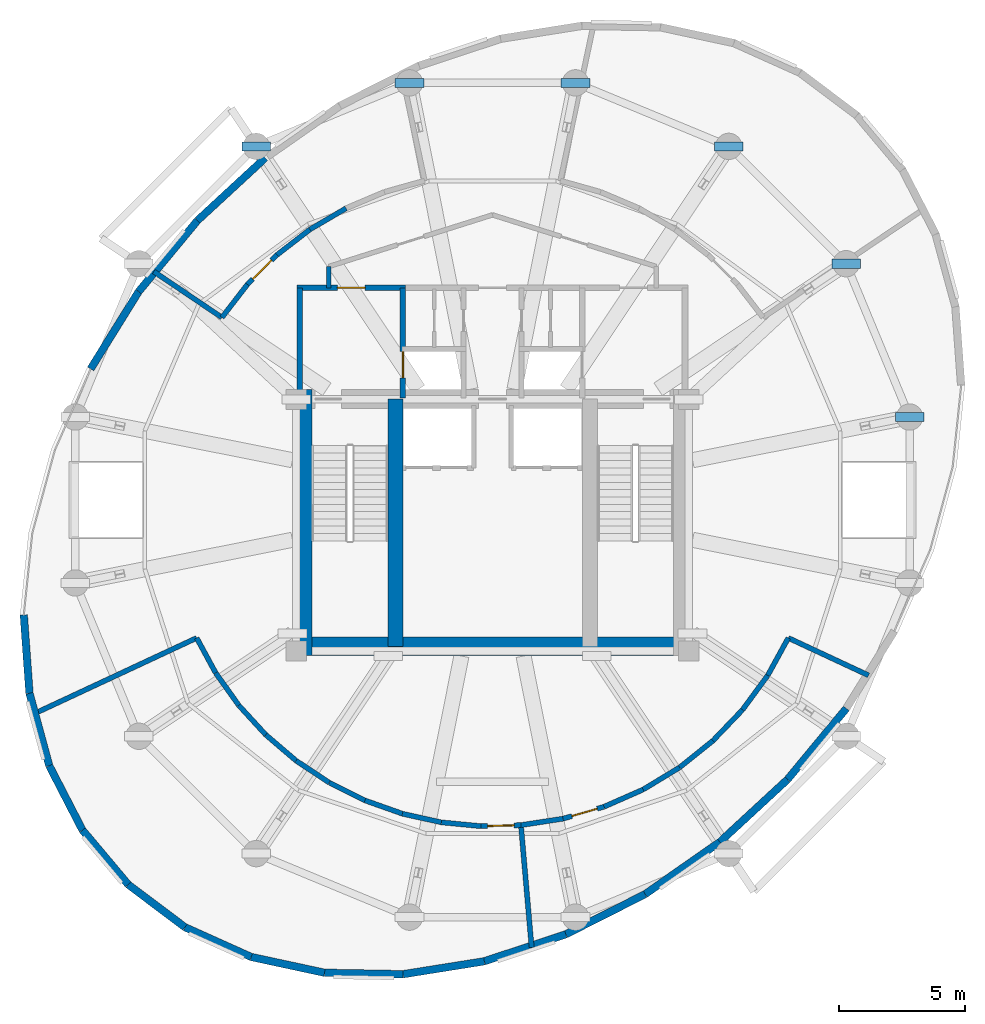
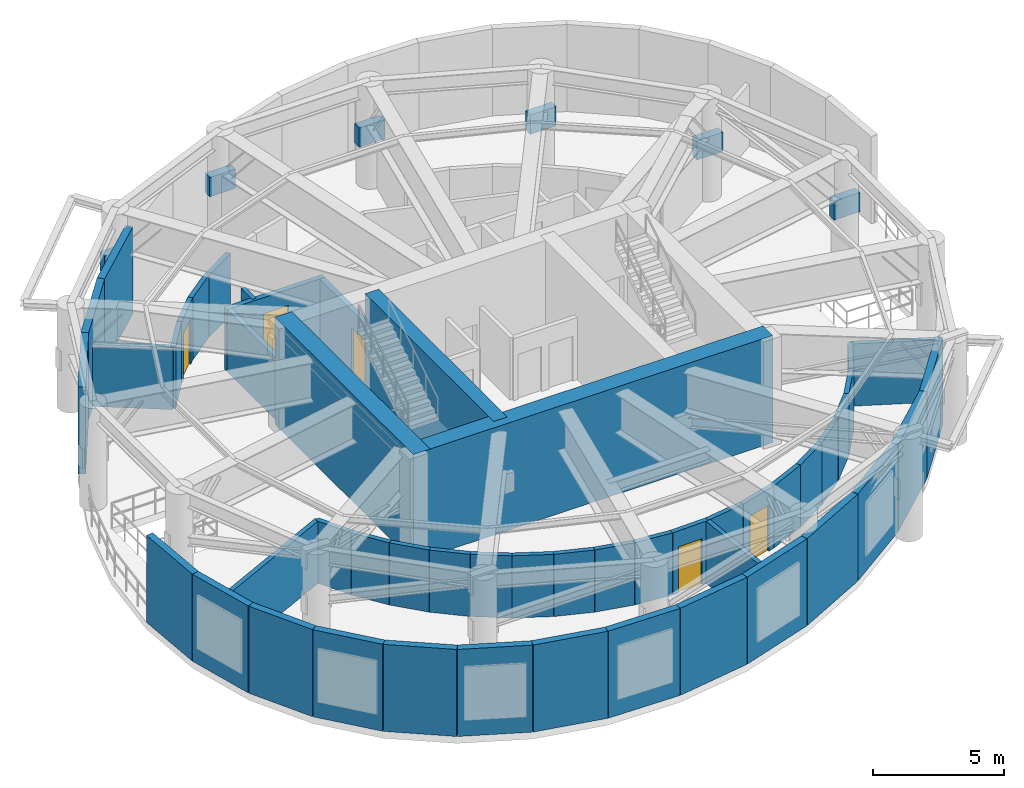
# One storey, part 3 of 7: 50 walls, 6 plates, 5 doors, 5 openings.
"""IFC4 building model written with IfcOpenShell, lengths in metres."""

from ifc_helpers import new_model, si_unit, direction, frame, frame_2d, origin, origin_2d, place, context, subcontext, project, spatial, rectangle, extrude, material, layer, layer_set, type_object, element, fill, save


model = new_model("IFC4")

# Units and contexts
model_context = context("Model", 3, precision=1e-05, world=origin(), true_north=direction((0.0, 1.0)))
body_context = subcontext(model_context, "Body", "Model", "MODEL_VIEW")
ifc_project = project(units=[si_unit("LENGTHUNIT", "METRE"), si_unit("AREAUNIT", "SQUARE_METRE"), si_unit("VOLUMEUNIT", "CUBIC_METRE"), si_unit("PLANEANGLEUNIT", "RADIAN"), si_unit("MASSUNIT", "GRAM", prefix="KILO"), si_unit("THERMODYNAMICTEMPERATUREUNIT", "KELVIN"), si_unit("POWERUNIT", "WATT")], contexts=[model_context])

# Site, building, storey
site_placement = place(None, origin())
site = spatial("IfcSite", under=ifc_project, at=site_placement, CompositionType="ELEMENT")
building_placement = place(site_placement, origin())
building = spatial("IfcBuilding", under=site, at=building_placement, Name="Ocrelia Relay Tower", CompositionType="ELEMENT")
storey_placement = place(building_placement, frame((0.0, 0.0, 225.39990234375)))
storey = spatial("IfcBuildingStorey", under=building, at=storey_placement, Name="L55", CompositionType="ELEMENT", Elevation=225.39990234375)

# Plates
ifc_material_1 = material(Name="Steel S355", Category="steel")
ifc_layer_1 = layer(ifc_material_1, 0.035888671875, Name="Steel S355")
ifc_layer_set_1 = layer_set([ifc_layer_1], Name="Steel S355")
plate_type = type_object("IfcPlateType", Name="PL-NODE-ND-06", PredefinedType="USERDEFINED", material=ifc_layer_set_1)
for number, where, z_axis, x_axis, name in (
    (1, (50.5751953125, 29.297119140625, 1.900146484375), (0.0, 0.0, 1.0), (1.0, 0.0, 0.0), "L55 Setback Raker Lower Node ND-06 (01)"),
    (2, (48.0517578125, 35.38916015625, 1.900146484375), (0.0, 0.0, 1.0), (1.0, 0.0, 0.0), "L55 Setback Raker Lower Node ND-06 (02)"),
    (3, (43.38916015625, 40.0517578125, 1.900146484375), (0.0, 0.0, 1.0), (1.0, 0.0, 0.0), "L55 Setback Raker Lower Node ND-06 (03)"),
    (4, (37.297119140625, 42.5751953125, 1.900146484375), (0.0, 0.0, 1.0), (1.0, 0.0, 0.0), "L55 Setback Raker Lower Node ND-06 (04)"),
    (5, (30.702880859375, 42.5751953125, 1.900146484375), (0.0, 0.0, 1.0), (1.0, 0.0, 0.0), "L55 Setback Raker Lower Node ND-06 (05)"),
    (6, (24.61083984375, 40.0517578125, 1.900146484375), (0.0, 0.0, 1.0), (1.0, 0.0, 0.0), "L55 Setback Raker Lower Node ND-06 (06)"),
):
    element("IfcPlate", number, at=place(storey_placement, frame(where, z_axis=z_axis, x_axis=x_axis)), inside=storey, type_object=plate_type, Name=name, ObjectType="GUSSET PLATE", PredefinedType="USERDEFINED", context=body_context, shape_type="SweptSolid", body=[
        extrude(rectangle(XDim=1.139892578125, YDim=0.360107421875, at=origin_2d()), origin(), (0.0, 0.0, 1.0), 0.89990234375),
    ])

# Walls
ifc_material_2 = material(Name="Concrete C60/75", Category="concrete")
ifc_layer_2 = layer(ifc_material_2, 0.75, Name="Concrete C60/75")
ifc_layer_set_2 = layer_set([ifc_layer_2], Name="Concrete C60/75")
wall_type_1 = type_object("IfcWallType", Name="CW-CORE-750", PredefinedType="SHEAR", material=ifc_layer_set_2)
wall_1_placement = place(storey_placement, frame((26.072021484375, 20.18701171875, 0.0), z_axis=(0.0, 0.0, 1.0), x_axis=(1.0, 0.0, 0.0)))
element("IfcWall", 7, at=wall_1_placement, inside=storey, type_object=wall_type_1, Name="L55 Core Shear Wall S", PredefinedType="SHEAR", context=body_context, shape_type="SweptSolid", body=[
    extrude(rectangle(XDim=15.865966796875, YDim=0.75, at=frame_2d((7.93310546875, 0.0))), origin(), (0.0, 0.0, 1.0), 5.0),
])
wall_2_placement = place(storey_placement, frame((26.447021484375, 19.81201171875, 0.0), z_axis=(0.0, 0.0, 1.0), x_axis=(0.0, 1.0, 0.0)))
element("IfcWall", 8, at=wall_2_placement, inside=storey, type_object=wall_type_1, Name="L55 Core Shear Wall W", PredefinedType="SHEAR", context=body_context, shape_type="SweptSolid", body=[
    extrude(rectangle(XDim=10.575927734375, YDim=0.75, at=frame_2d((5.2880859375, 0.0))), origin(), (0.0, 0.0, 1.0), 5.0),
])
wall_3_placement = place(storey_placement, frame((30.137939453125, 20.18701171875, 0.0), z_axis=(0.0, 0.0, 1.0), x_axis=(0.0, 1.0, 0.0)))
element("IfcWall", 9, at=wall_3_placement, inside=storey, type_object=wall_type_1, Name="L55 Core Shear Wall SPW", PredefinedType="SHEAR", context=body_context, shape_type="SweptSolid", body=[
    extrude(rectangle(XDim=9.825927734375, YDim=0.60009765625, at=frame_2d((4.9130859375, 0.0))), origin(), (0.0, 0.0, 1.0), 5.0),
])
ifc_material_3 = material(Name="Gypsum Fireboard Partition EI60", Category="gypsum")
ifc_layer_3 = layer(ifc_material_3, 0.179931640625, Name="Gypsum Fireboard Partition EI60")
ifc_layer_set_3 = layer_set([ifc_layer_3], Name="Gypsum Fireboard Partition EI60")
wall_type_2 = type_object("IfcWallType", Name="W-CORR-EI60-180", PredefinedType="PARTITIONING", material=ifc_layer_set_3)
wall_4_placement = place(storey_placement, frame((27.5, 34.429931640625, 0.0), z_axis=(0.0, 0.0, 1.0), x_axis=(0.0, 1.0, 0.0)))
element("IfcWall", 10, at=wall_4_placement, inside=storey, type_object=wall_type_2, Name="L55 Smoke Lobby West Return", PredefinedType="PARTITIONING", context=body_context, shape_type="SweptSolid", body=[
    extrude(rectangle(XDim=0.85009765625, YDim=0.179931640625, at=frame_2d((0.425048828125, 0.0))), origin(), (0.0, 0.0, 1.0), 2.900146484375),
])
ifc_material_4 = material(Name="Precast concrete C40/50 with oxide terracotta", Category="masonry")
ifc_layer_4 = layer(ifc_material_4, 0.300048828125, Name="Precast concrete C40/50 with oxide terracotta")
ifc_layer_set_4 = layer_set([ifc_layer_4], Name="Precast concrete C40/50 with oxide terracotta")
wall_type_3 = type_object("IfcWallType", Name="W-EXT-TERR-300", PredefinedType="SOLIDWALL", material=ifc_layer_set_4)
for number, where, z_axis, x_axis, name in (
    (11, (24.967529296875, 39.591552734375, 0.0), (0.0, 0.0, 1.0), (-0.73482899263, -0.678252424684, 0.0), "L55 Plant Terracotta Wall 09"),
    (12, (22.275390625, 37.106689453125, 0.0), (0.0, 0.0, 1.0), (-0.637539073233, -0.770418022959, 0.0), "L55 Plant Terracotta Wall 10"),
):
    element("IfcWall", number, at=place(storey_placement, frame(where, z_axis=z_axis, x_axis=x_axis)), inside=storey, type_object=wall_type_3, Name=name, PredefinedType="SOLIDWALL", context=body_context, shape_type="SweptSolid", body=[
        extrude(rectangle(XDim=3.66357421875, YDim=0.300048828125, at=frame_2d((1.831787109375, 0.0))), origin(), (0.0, 0.0, 1.0), 4.06005859375),
    ])
wall_5_placement = place(storey_placement, frame((19.939697265625, 34.2841796875, 0.0), z_axis=(0.0, 0.0, 1.0), x_axis=(-0.527455239151, -0.849582821562, 0.0)))
element("IfcWall", 13, at=wall_5_placement, inside=storey, type_object=wall_type_3, Name="L55 Plant Terracotta Wall 11", PredefinedType="SOLIDWALL", context=body_context, shape_type="SweptSolid", body=[
    extrude(rectangle(XDim=3.6181640625, YDim=0.300048828125, at=frame_2d((1.80908203125, 0.0))), origin(), (0.0, 0.0, 1.0), 4.06005859375),
])
wall_6_placement = place(storey_placement, frame((15.3740234375, 21.4326171875, 0.0), z_axis=(0.0, 0.0, 1.0), x_axis=(0.072569639853, -0.997363347718, 0.0)))
element("IfcWall", 14, at=wall_6_placement, inside=storey, type_object=wall_type_3, Name="L55 Plant Terracotta Wall 15", PredefinedType="SOLIDWALL", context=body_context, shape_type="SweptSolid", body=[
    extrude(rectangle(XDim=3.1220703125, YDim=0.300048828125, at=frame_2d((1.56103515625, 0.0))), origin(), (0.0, 0.0, 1.0), 4.06005859375),
])
wall_7_placement = place(storey_placement, frame((15.6005859375, 18.31884765625, 0.0), z_axis=(0.0, 0.0, 1.0), x_axis=(0.263221190674, -0.964735510272, 0.0)))
element("IfcWall", 15, at=wall_7_placement, inside=storey, type_object=wall_type_3, Name="L55 Plant Terracotta Wall 16", PredefinedType="SOLIDWALL", context=body_context, shape_type="SweptSolid", body=[
    extrude(rectangle(XDim=2.985595703125, YDim=0.300048828125, at=frame_2d((1.49267578125, 0.0))), origin(), (0.0, 0.0, 1.0), 4.06005859375),
])
wall_8_placement = place(storey_placement, frame((16.386474609375, 15.4384765625, 0.0), z_axis=(0.0, 0.0, 1.0), x_axis=(0.45867098927, -0.88860616901, 0.0)))
element("IfcWall", 16, at=wall_8_placement, inside=storey, type_object=wall_type_3, Name="L55 Plant Terracotta Wall 17", PredefinedType="SOLIDWALL", context=body_context, shape_type="SweptSolid", body=[
    extrude(rectangle(XDim=2.880126953125, YDim=0.300048828125, at=frame_2d((1.43994140625, 0.0))), origin(), (0.0, 0.0, 1.0), 4.06005859375),
])
for number, where, z_axis, x_axis, name in (
    (17, (17.70751953125, 12.879150390625, 0.0), (0.0, 0.0, 1.0), (0.643352324019, -0.765570236608, 0.0), "L55 Plant Terracotta Wall 18"),
    (18, (19.5234375, 10.71826171875, 0.0), (0.0, 0.0, 1.0), (0.799210477485, -0.601051256282, 0.0), "L55 Plant Terracotta Wall 19"),
):
    element("IfcWall", number, at=place(storey_placement, frame(where, z_axis=z_axis, x_axis=x_axis)), inside=storey, type_object=wall_type_3, Name=name, PredefinedType="SOLIDWALL", context=body_context, shape_type="SweptSolid", body=[
        extrude(rectangle(XDim=2.822509765625, YDim=0.300048828125, at=frame_2d((1.4111328125, 0.0))), origin(), (0.0, 0.0, 1.0), 4.06005859375),
    ])
wall_9_placement = place(storey_placement, frame((21.779296875, 9.021728515625, 0.0), z_axis=(0.0, 0.0, 1.0), x_axis=(0.912125984166, -0.409909976714, 0.0)))
element("IfcWall", 19, at=wall_9_placement, inside=storey, type_object=wall_type_3, Name="L55 Plant Terracotta Wall 20", PredefinedType="SOLIDWALL", context=body_context, shape_type="SweptSolid", body=[
    extrude(rectangle(XDim=2.88037109375, YDim=0.300048828125, at=frame_2d((1.440185546875, 0.0))), origin(), (0.0, 0.0, 1.0), 4.06005859375),
])
wall_10_placement = place(storey_placement, frame((24.406494140625, 7.841064453125, 0.0), z_axis=(0.0, 0.0, 1.0), x_axis=(0.977563651591, -0.210640231409, 0.0)))
element("IfcWall", 20, at=wall_10_placement, inside=storey, type_object=wall_type_3, Name="L55 Plant Terracotta Wall 21", PredefinedType="SOLIDWALL", context=body_context, shape_type="SweptSolid", body=[
    extrude(rectangle(XDim=2.985595703125, YDim=0.300048828125, at=frame_2d((1.49267578125, 0.0))), origin(), (0.0, 0.0, 1.0), 4.06005859375),
])
wall_11_placement = place(storey_placement, frame((27.3251953125, 7.212158203125, 0.0), z_axis=(0.0, 0.0, 1.0), x_axis=(0.999828254486, -0.018532715182, 0.0)))
element("IfcWall", 21, at=wall_11_placement, inside=storey, type_object=wall_type_3, Name="L55 Plant Terracotta Wall 22", PredefinedType="SOLIDWALL", context=body_context, shape_type="SweptSolid", body=[
    extrude(rectangle(XDim=3.1220703125, YDim=0.300048828125, at=frame_2d((1.56103515625, 0.0))), origin(), (0.0, 0.0, 1.0), 4.06005859375),
])
wall_12_placement = place(storey_placement, frame((30.44677734375, 7.154296875, 0.0), z_axis=(0.0, 0.0, 1.0), x_axis=(0.987548955156, 0.157311986733, 0.0)))
element("IfcWall", 22, at=wall_12_placement, inside=storey, type_object=wall_type_3, Name="L55 Plant Terracotta Wall 23", PredefinedType="SOLIDWALL", context=body_context, shape_type="SweptSolid", body=[
    extrude(rectangle(XDim=3.27001953125, YDim=0.300048828125, at=frame_2d((1.635009765625, 0.0))), origin(), (0.0, 0.0, 1.0), 4.06005859375),
])
wall_13_placement = place(storey_placement, frame((33.676025390625, 7.668701171875, 0.0), z_axis=(0.0, 0.0, 1.0), x_axis=(0.949382197537, 0.314123292673, 0.0)))
element("IfcWall", 23, at=wall_13_placement, inside=storey, type_object=wall_type_3, Name="L55 Plant Terracotta Wall 24", PredefinedType="SOLIDWALL", context=body_context, shape_type="SweptSolid", body=[
    extrude(rectangle(XDim=3.411865234375, YDim=0.300048828125, at=frame_2d((1.7060546875, 0.0))), origin(), (0.0, 0.0, 1.0), 4.06005859375),
])
wall_14_placement = place(storey_placement, frame((36.915283203125, 8.740478515625, 0.0), z_axis=(0.0, 0.0, 1.0), x_axis=(0.89209261961, 0.45185258441, 0.0)))
element("IfcWall", 24, at=wall_14_placement, inside=storey, type_object=wall_type_3, Name="L55 Plant Terracotta Wall 25", PredefinedType="SOLIDWALL", context=body_context, shape_type="SweptSolid", body=[
    extrude(rectangle(XDim=3.531982421875, YDim=0.300048828125, at=frame_2d((1.76611328125, 0.0))), origin(), (0.0, 0.0, 1.0), 4.06005859375),
])
wall_15_placement = place(storey_placement, frame((40.066162109375, 10.33642578125, 0.0), z_axis=(0.0, 0.0, 1.0), x_axis=(0.819802095638, 0.572646945323, 0.0)))
element("IfcWall", 25, at=wall_15_placement, inside=storey, type_object=wall_type_3, Name="L55 Plant Terracotta Wall 26", PredefinedType="SOLIDWALL", context=body_context, shape_type="SweptSolid", body=[
    extrude(rectangle(XDim=3.618408203125, YDim=0.300048828125, at=frame_2d((1.80908203125, 0.0))), origin(), (0.0, 0.0, 1.0), 4.06005859375),
])
for number, where, z_axis, x_axis, name in (
    (26, (43.032470703125, 12.408447265625, 0.0), (0.0, 0.0, 1.0), (0.73482899263, 0.678252424684, 0.0), "L55 Plant Terracotta Wall 27"),
    (27, (45.724609375, 14.893310546875, 0.0), (0.0, 0.0, 1.0), (0.637539073233, 0.770418022959, 0.0), "L55 Plant Terracotta Wall 28"),
):
    element("IfcWall", number, at=place(storey_placement, frame(where, z_axis=z_axis, x_axis=x_axis)), inside=storey, type_object=wall_type_3, Name=name, PredefinedType="SOLIDWALL", context=body_context, shape_type="SweptSolid", body=[
        extrude(rectangle(XDim=3.66357421875, YDim=0.300048828125, at=frame_2d((1.831787109375, 0.0))), origin(), (0.0, 0.0, 1.0), 4.06005859375),
    ])
ifc_material_5 = material(Name="Concrete C50/60", Category="concrete")
ifc_layer_5 = layer(ifc_material_5, 0.219970703125, Name="Concrete C50/60")
ifc_layer_set_5 = layer_set([ifc_layer_5], Name="Concrete C50/60")
wall_type_4 = type_object("IfcWallType", Name="W-FFL-EI120-220", PredefinedType="SOLIDWALL", material=ifc_layer_set_5)
wall_16_placement = place(storey_placement, frame((26.35009765625, 30.050048828125, 0.0), z_axis=(0.0, 0.0, 1.0), x_axis=(0.0, 1.0, 0.0)))
element("IfcWall", 28, at=wall_16_placement, inside=storey, type_object=wall_type_4, Name="L55 W Fire Service Lift Lobby West Wall", PredefinedType="SOLIDWALL", context=body_context, shape_type="SweptSolid", body=[
    extrude(rectangle(XDim=4.3798828125, YDim=0.219970703125, at=frame_2d((2.18994140625, 0.0))), origin(), (0.0, 0.0, 1.0), 2.900146484375),
])

# Wall, opening, door
wall_17_placement = place(storey_placement, frame((30.43994140625, 30.050048828125, 0.0), z_axis=(0.0, 0.0, 1.0), x_axis=(0.0, 1.0, 0.0)))
wall_17 = element("IfcWall", 29, at=wall_17_placement, inside=storey, type_object=wall_type_4, Name="L55 W Fire Service Lift Lobby East Wall", PredefinedType="SOLIDWALL", context=body_context, shape_type="SweptSolid", body=[
    extrude(rectangle(XDim=4.3798828125, YDim=0.219970703125, at=frame_2d((2.18994140625, 0.0))), origin(), (0.0, 0.0, 1.0), 2.900146484375),
])
opening_1_placement = place(wall_17_placement, frame((0.800048828125, 0.0, 0.0)))
opening_1 = element("IfcOpeningElement", 30, at=opening_1_placement, cuts=wall_17, Name="Opening LD-FFL1", PredefinedType="OPENING", context=body_context, shape_type="SweptSolid", body=[
    extrude(rectangle(XDim=1.050048828125, YDim=2.10009765625, at=frame_2d((0.52490234375, 1.050048828125))), frame((0.0, 0.1201171875, 0.0), z_axis=(0.0, -1.0, 0.0), x_axis=(1.0, 0.0, 0.0)), (0.0, 0.0, 1.0), 0.239990234375),
])
ifc_material_6 = material(Name="Brushed stainless steel S355 lift landing door", Category="steel")
door_type_1 = type_object("IfcDoorType", Name="DR-LIFT-LAND-1050", OperationType="DOUBLE_DOOR_SLIDING", PredefinedType="USERDEFINED", material=ifc_material_6)
door_1_placement = place(opening_1_placement, origin())
door_1 = element("IfcDoor", 31, at=door_1_placement, inside=storey, type_object=door_type_1, Name="L55 Firefighting Lift FFL1 Sliding Landing Door", ObjectType="LANDING DOOR", OperationType="DOUBLE_DOOR_SLIDING", OverallHeight=2.10009765625, OverallWidth=1.050048828125, PredefinedType="USERDEFINED", context=body_context, shape_type="SweptSolid", body=[
    extrude(rectangle(XDim=1.050048828125, YDim=2.10009765625, at=frame_2d((0.52490234375, 1.050048828125))), frame((0.0, 0.02490234375, 0.0), z_axis=(0.0, -1.0, 0.0), x_axis=(1.0, 0.0, 0.0)), (0.0, 0.0, 1.0), 0.050048828125),
])
fill(opening_1, door_1)

wall_18_placement = place(storey_placement, frame((26.239990234375, 34.429931640625, 0.0), z_axis=(0.0, 0.0, 1.0), x_axis=(1.0, 0.0, 0.0)))
wall_18 = element("IfcWall", 32, at=wall_18_placement, inside=storey, type_object=wall_type_4, Name="L55 W Fire Service Lift Lobby North Wall", PredefinedType="SOLIDWALL", context=body_context, shape_type="SweptSolid", body=[
    extrude(rectangle(XDim=4.31005859375, YDim=0.219970703125, at=frame_2d((2.155029296875, 0.0))), origin(), (0.0, 0.0, 1.0), 2.900146484375),
])
opening_2_placement = place(wall_18_placement, frame((1.60009765625, 0.0, 0.0)))
opening_2 = element("IfcOpeningElement", 33, at=opening_2_placement, cuts=wall_18, Name="Opening D-FD60", PredefinedType="OPENING", context=body_context, shape_type="SweptSolid", body=[
    extrude(rectangle(XDim=1.10009765625, YDim=2.14990234375, at=frame_2d((0.550048828125, 1.074951171875))), frame((0.0, 0.1201171875, 0.0), z_axis=(0.0, -1.0, 0.0), x_axis=(1.0, 0.0, 0.0)), (0.0, 0.0, 1.0), 0.239990234375),
])
ifc_material_7 = material(Name="Timber-core 60-min acoustic fire door", Category="wood")
door_type_2 = type_object("IfcDoorType", Name="DR-LOBBY-FD60-1100", OperationType="NOTDEFINED", PredefinedType="DOOR", material=ifc_material_7)
door_2_placement = place(opening_2_placement, origin())
door_2 = element("IfcDoor", 34, at=door_2_placement, inside=storey, type_object=door_type_2, Name="L55 W Fire Service Lift Lobby Exit Door", OperationType="SINGLE_SWING_LEFT", OverallHeight=2.14990234375, OverallWidth=1.10009765625, PredefinedType="DOOR", context=body_context, shape_type="SweptSolid", body=[
    extrude(rectangle(XDim=1.10009765625, YDim=2.14990234375, at=frame_2d((0.550048828125, 1.074951171875))), frame((0.0, 0.02490234375, 0.0), z_axis=(0.0, -1.0, 0.0), x_axis=(1.0, 0.0, 0.0)), (0.0, 0.0, 1.0), 0.050048828125),
])
fill(opening_2, door_2)

# Wall
ifc_layer_6 = layer(ifc_material_5, 0.199951171875, Name="Concrete C50/60")
ifc_layer_set_6 = layer_set([ifc_layer_6], Name="Concrete C50/60")
wall_type_5 = type_object("IfcWallType", Name="W-SHAFT-EI120-200", PredefinedType="SOLIDWALL", material=ifc_layer_set_6)
wall_19_placement = place(storey_placement, frame((23.247314453125, 33.252685546875, 0.0), z_axis=(0.0, 0.0, 1.0), x_axis=(0.611032763433, 0.791605306962, 0.0)))
element("IfcWall", 35, at=wall_19_placement, inside=storey, type_object=wall_type_5, Name="L55 West Area of Refuge Inner Wall 7", PredefinedType="SOLIDWALL", context=body_context, shape_type="SweptSolid", body=[
    extrude(rectangle(XDim=1.658935546875, YDim=0.199951171875, at=frame_2d((0.82958984375, 0.0))), origin(), (0.0, 0.0, 1.0), 2.900146484375),
])

# Wall, opening, door
wall_20_placement = place(storey_placement, frame((24.260986328125, 34.56591796875, 0.0), z_axis=(0.0, 0.0, 1.0), x_axis=(0.707106781187, 0.707106781187, 0.0)))
wall_20 = element("IfcWall", 36, at=wall_20_placement, inside=storey, type_object=wall_type_5, Name="L55 West Area of Refuge Inner Wall 8", PredefinedType="SOLIDWALL", context=body_context, shape_type="SweptSolid", body=[
    extrude(rectangle(XDim=1.658935546875, YDim=0.199951171875, at=frame_2d((0.82958984375, 0.0))), origin(), (0.0, 0.0, 1.0), 2.900146484375),
])
opening_3_placement = place(wall_20_placement, frame((0.304443359375, 0.0, 0.0)))
opening_3 = element("IfcOpeningElement", 37, at=opening_3_placement, cuts=wall_20, Name="Opening D-FD90", PredefinedType="OPENING", context=body_context, shape_type="SweptSolid", body=[
    extrude(rectangle(XDim=1.050048828125, YDim=2.14990234375, at=frame_2d((0.52490234375, 1.074951171875))), frame((0.0, 0.10986328125, 0.0), z_axis=(0.0, -1.0, 0.0), x_axis=(1.0, 0.0, 0.0)), (0.0, 0.0, 1.0), 0.219970703125),
])
ifc_material_8 = material(Name="Steel S355 90-min fire door", Category="steel")
door_type_3 = type_object("IfcDoorType", Name="DR-STAIR-FD90-1050", OperationType="NOTDEFINED", PredefinedType="DOOR", material=ifc_material_8)
door_3_placement = place(opening_3_placement, origin())
door_3 = element("IfcDoor", 38, at=door_3_placement, inside=storey, type_object=door_type_3, Name="L55 West Area of Refuge Fire Door", OperationType="SINGLE_SWING_RIGHT", OverallHeight=2.14990234375, OverallWidth=1.050048828125, PredefinedType="DOOR", context=body_context, shape_type="SweptSolid", body=[
    extrude(rectangle(XDim=1.050048828125, YDim=2.14990234375, at=frame_2d((0.52490234375, 1.074951171875))), frame((0.0, 0.02490234375, 0.0), z_axis=(0.0, -1.0, 0.0), x_axis=(1.0, 0.0, 0.0)), (0.0, 0.0, 1.0), 0.050048828125),
])
fill(opening_3, door_3)

# Walls
for number, where, z_axis, x_axis, name in (
    (39, (25.43408203125, 35.739013671875, 0.0), (0.0, 0.0, 1.0), (0.791605306962, 0.611032763433, 0.0), "L55 West Area of Refuge Inner Wall 9"),
    (40, (26.747314453125, 36.752685546875, 0.0), (0.0, 0.0, 1.0), (0.863153716887, 0.504941245122, 0.0), "L55 West Area of Refuge Inner Wall 10"),
):
    element("IfcWall", number, at=place(storey_placement, frame(where, z_axis=z_axis, x_axis=x_axis)), inside=storey, type_object=wall_type_5, Name=name, PredefinedType="SOLIDWALL", context=body_context, shape_type="SweptSolid", body=[
        extrude(rectangle(XDim=1.658935546875, YDim=0.199951171875, at=frame_2d((0.82958984375, 0.0))), origin(), (0.0, 0.0, 1.0), 2.900146484375),
    ])
wall_21_placement = place(storey_placement, frame((23.247314453125, 33.252685546875, 0.0), z_axis=(0.0, 0.0, 1.0), x_axis=(-0.829044696855, 0.559182341117, 0.0)))
element("IfcWall", 41, at=wall_21_placement, inside=storey, type_object=wall_type_5, Name="L55 West Area of Refuge Radial Wall R1", PredefinedType="SOLIDWALL", context=body_context, shape_type="SweptSolid", body=[
    extrude(rectangle(XDim=3.26220703125, YDim=0.199951171875, at=frame_2d((1.631103515625, 0.0))), origin(), (0.0, 0.0, 1.0), 2.900146484375),
])

# Wall, opening, door
wall_22_placement = place(storey_placement, frame((35.13037109375, 13.079345703125, 0.0), z_axis=(0.0, 0.0, 1.0), x_axis=(-0.999656475273, -0.026209377051, 0.0)))
wall_22 = element("IfcWall", 42, at=wall_22_placement, inside=storey, type_object=wall_type_5, Name="L55 Upper Chilled Water Plant Room Inner Wall 11", PredefinedType="SOLIDWALL", context=body_context, shape_type="SweptSolid", body=[
    extrude(rectangle(XDim=1.58349609375, YDim=0.199951171875, at=frame_2d((0.791748046875, 0.0))), origin(), (0.0, 0.0, 1.0), 2.900146484375),
])
opening_4_placement = place(wall_22_placement, frame((0.275146484375, 0.0, 0.0)))
opening_4 = element("IfcOpeningElement", 43, at=opening_4_placement, cuts=wall_22, Name="Opening D-FD90", PredefinedType="OPENING", context=body_context, shape_type="SweptSolid", body=[
    extrude(rectangle(XDim=1.050048828125, YDim=2.14990234375, at=frame_2d((0.52490234375, 1.074951171875))), frame((0.0, 0.10986328125, 0.0), z_axis=(0.0, -1.0, 0.0), x_axis=(1.0, 0.0, 0.0)), (0.0, 0.0, 1.0), 0.219970703125),
])
door_4_placement = place(opening_4_placement, origin())
door_4 = element("IfcDoor", 44, at=door_4_placement, inside=storey, type_object=door_type_3, Name="L55 Upper Chilled Water Plant Room Fire Door", OperationType="SINGLE_SWING_RIGHT", OverallHeight=2.14990234375, OverallWidth=1.050048828125, PredefinedType="DOOR", context=body_context, shape_type="SweptSolid", body=[
    extrude(rectangle(XDim=1.050048828125, YDim=2.14990234375, at=frame_2d((0.52490234375, 1.074951171875))), frame((0.0, 0.02490234375, 0.0), z_axis=(0.0, -1.0, 0.0), x_axis=(1.0, 0.0, 0.0)), (0.0, 0.0, 1.0), 0.050048828125),
])
fill(opening_4, door_4)

# Walls
wall_23_placement = place(storey_placement, frame((33.54736328125, 13.037841796875, 0.0), z_axis=(0.0, 0.0, 1.0), x_axis=(-0.995392349908, 0.095885711885, 0.0)))
element("IfcWall", 45, at=wall_23_placement, inside=storey, type_object=wall_type_5, Name="L55 Upper Chilled Water Plant Room Inner Wall 12", PredefinedType="SOLIDWALL", context=body_context, shape_type="SweptSolid", body=[
    extrude(rectangle(XDim=1.583740234375, YDim=0.199951171875, at=frame_2d((0.7919921875, 0.0))), origin(), (0.0, 0.0, 1.0), 2.900146484375),
])
wall_24_placement = place(storey_placement, frame((31.970947265625, 13.189697265625, 0.0), z_axis=(0.0, 0.0, 1.0), x_axis=(-0.976288532735, 0.216473325957, 0.0)))
element("IfcWall", 46, at=wall_24_placement, inside=storey, type_object=wall_type_5, Name="L55 Upper Chilled Water Plant Room Inner Wall 13", PredefinedType="SOLIDWALL", context=body_context, shape_type="SweptSolid", body=[
    extrude(rectangle(XDim=1.58349609375, YDim=0.199951171875, at=frame_2d((0.791748046875, 0.0))), origin(), (0.0, 0.0, 1.0), 2.900146484375),
])
wall_25_placement = place(storey_placement, frame((30.425048828125, 13.532470703125, 0.0), z_axis=(0.0, 0.0, 1.0), x_axis=(-0.942662593063, 0.33374726312, 0.0)))
element("IfcWall", 47, at=wall_25_placement, inside=storey, type_object=wall_type_5, Name="L55 Upper Chilled Water Plant Room Inner Wall 14", PredefinedType="SOLIDWALL", context=body_context, shape_type="SweptSolid", body=[
    extrude(rectangle(XDim=1.583740234375, YDim=0.199951171875, at=frame_2d((0.7919921875, 0.0))), origin(), (0.0, 0.0, 1.0), 2.900146484375),
])
for number, where, z_axis, x_axis, name in (
    (48, (28.93212890625, 14.06103515625, 0.0), (0.0, 0.0, 1.0), (-0.894950751048, 0.446164939454, 0.0), "L55 Upper Chilled Water Plant Room Inner Wall 15"),
    (49, (27.514892578125, 14.767578125, 0.0), (0.0, 0.0, 1.0), (-0.833848713435, 0.551993046246, 0.0), "L55 Upper Chilled Water Plant Room Inner Wall 16"),
):
    element("IfcWall", number, at=place(storey_placement, frame(where, z_axis=z_axis, x_axis=x_axis)), inside=storey, type_object=wall_type_5, Name=name, PredefinedType="SOLIDWALL", context=body_context, shape_type="SweptSolid", body=[
        extrude(rectangle(XDim=1.58349609375, YDim=0.199951171875, at=frame_2d((0.791748046875, 0.0))), origin(), (0.0, 0.0, 1.0), 2.900146484375),
    ])
wall_26_placement = place(storey_placement, frame((26.194580078125, 15.6416015625, 0.0), z_axis=(0.0, 0.0, 1.0), x_axis=(-0.760419669712, 0.649432002534, 0.0)))
element("IfcWall", 50, at=wall_26_placement, inside=storey, type_object=wall_type_5, Name="L55 Upper Chilled Water Plant Room Inner Wall 17", PredefinedType="SOLIDWALL", context=body_context, shape_type="SweptSolid", body=[
    extrude(rectangle(XDim=1.583740234375, YDim=0.199951171875, at=frame_2d((0.7919921875, 0.0))), origin(), (0.0, 0.0, 1.0), 2.900146484375),
])
wall_27_placement = place(storey_placement, frame((24.990234375, 16.670166015625, 0.0), z_axis=(0.0, 0.0, 1.0), x_axis=(-0.675598950766, 0.737269325094, 0.0)))
element("IfcWall", 51, at=wall_27_placement, inside=storey, type_object=wall_type_5, Name="L55 Upper Chilled Water Plant Room Inner Wall 18", PredefinedType="SOLIDWALL", context=body_context, shape_type="SweptSolid", body=[
    extrude(rectangle(XDim=1.58349609375, YDim=0.199951171875, at=frame_2d((0.791748046875, 0.0))), origin(), (0.0, 0.0, 1.0), 2.900146484375),
])
wall_28_placement = place(storey_placement, frame((23.92041015625, 17.837646484375, 0.0), z_axis=(0.0, 0.0, 1.0), x_axis=(-0.580713102352, 0.814108280732, 0.0)))
element("IfcWall", 52, at=wall_28_placement, inside=storey, type_object=wall_type_5, Name="L55 Upper Chilled Water Plant Room Inner Wall 19", PredefinedType="SOLIDWALL", context=body_context, shape_type="SweptSolid", body=[
    extrude(rectangle(XDim=1.583740234375, YDim=0.199951171875, at=frame_2d((0.7919921875, 0.0))), origin(), (0.0, 0.0, 1.0), 2.900146484375),
])
wall_29_placement = place(storey_placement, frame((23.000732421875, 19.126953125, 0.0), z_axis=(0.0, 0.0, 1.0), x_axis=(-0.477176920331, 0.878807252305, 0.0)))
element("IfcWall", 53, at=wall_29_placement, inside=storey, type_object=wall_type_5, Name="L55 Upper Chilled Water Plant Room Inner Wall 20", PredefinedType="SOLIDWALL", context=body_context, shape_type="SweptSolid", body=[
    extrude(rectangle(XDim=1.58349609375, YDim=0.199951171875, at=frame_2d((0.791748046875, 0.0))), origin(), (0.0, 0.0, 1.0), 2.900146484375),
])
wall_30_placement = place(storey_placement, frame((22.2451171875, 20.5185546875, 0.0), z_axis=(0.0, 0.0, 1.0), x_axis=(-0.906307182764, -0.422619557605, 0.0)))
element("IfcWall", 54, at=wall_30_placement, inside=storey, type_object=wall_type_5, Name="L55 Upper Chilled Water Plant Room Radial Wall R0", PredefinedType="SOLIDWALL", context=body_context, shape_type="SweptSolid", body=[
    extrude(rectangle(XDim=7.188232421875, YDim=0.199951171875, at=frame_2d((3.59423828125, 0.0))), origin(), (0.0, 0.0, 1.0), 2.900146484375),
])
wall_31_placement = place(storey_placement, frame((35.13037109375, 13.079345703125, 0.0), z_axis=(0.0, 0.0, 1.0), x_axis=(0.087162607894, -0.996194097445, 0.0)))
element("IfcWall", 55, at=wall_31_placement, inside=storey, type_object=wall_type_5, Name="L55 Upper Chilled Water Plant Room Radial Wall R1", PredefinedType="SOLIDWALL", context=body_context, shape_type="SweptSolid", body=[
    extrude(rectangle(XDim=4.882080078125, YDim=0.199951171875, at=frame_2d((2.44091796875, 0.0))), origin(), (0.0, 0.0, 1.0), 2.900146484375),
])
for number, where, z_axis, x_axis, name in (
    (56, (45.7548828125, 20.5185546875, 0.0), (0.0, 0.0, 1.0), (-0.481078844747, -0.876677332396, 0.0), "L55 High-Altitude Air Handling Plant Room Inner Wall 9"),
    (57, (44.938720703125, 19.03125, 0.0), (0.0, 0.0, 1.0), (-0.591307514112, -0.806446169161, 0.0), "L55 High-Altitude Air Handling Plant Room Inner Wall 10"),
    (58, (43.935546875, 17.6630859375, 0.0), (0.0, 0.0, 1.0), (-0.691467658158, -0.722407418097, 0.0), "L55 High-Altitude Air Handling Plant Room Inner Wall 11"),
):
    element("IfcWall", number, at=place(storey_placement, frame(where, z_axis=z_axis, x_axis=x_axis)), inside=storey, type_object=wall_type_5, Name=name, PredefinedType="SOLIDWALL", context=body_context, shape_type="SweptSolid", body=[
        extrude(rectangle(XDim=1.696533203125, YDim=0.199951171875, at=frame_2d((0.84814453125, 0.0))), origin(), (0.0, 0.0, 1.0), 2.900146484375),
    ])
wall_32_placement = place(storey_placement, frame((42.762451171875, 16.4375, 0.0), z_axis=(0.0, 0.0, 1.0), x_axis=(-0.779885178189, -0.625922606111, 0.0)))
element("IfcWall", 59, at=wall_32_placement, inside=storey, type_object=wall_type_5, Name="L55 High-Altitude Air Handling Plant Room Inner Wall 12", PredefinedType="SOLIDWALL", context=body_context, shape_type="SweptSolid", body=[
    extrude(rectangle(XDim=1.69677734375, YDim=0.199951171875, at=frame_2d((0.848388671875, 0.0))), origin(), (0.0, 0.0, 1.0), 2.900146484375),
])
wall_33_placement = place(storey_placement, frame((41.439208984375, 15.37548828125, 0.0), z_axis=(0.0, 0.0, 1.0), x_axis=(-0.854942540214, -0.518722712952, 0.0)))
element("IfcWall", 60, at=wall_33_placement, inside=storey, type_object=wall_type_5, Name="L55 High-Altitude Air Handling Plant Room Inner Wall 13", PredefinedType="SOLIDWALL", context=body_context, shape_type="SweptSolid", body=[
    extrude(rectangle(XDim=1.6962890625, YDim=0.199951171875, at=frame_2d((0.84814453125, 0.0))), origin(), (0.0, 0.0, 1.0), 2.900146484375),
])
wall_34_placement = place(storey_placement, frame((39.989013671875, 14.49560546875, 0.0), z_axis=(0.0, 0.0, 1.0), x_axis=(-0.915306545204, -0.402757902849, 0.0)))
element("IfcWall", 61, at=wall_34_placement, inside=storey, type_object=wall_type_5, Name="L55 High-Altitude Air Handling Plant Room Inner Wall 14", PredefinedType="SOLIDWALL", context=body_context, shape_type="SweptSolid", body=[
    extrude(rectangle(XDim=1.69677734375, YDim=0.199951171875, at=frame_2d((0.848388671875, 0.0))), origin(), (0.0, 0.0, 1.0), 2.900146484375),
])

# Wall, opening, door
wall_35_placement = place(storey_placement, frame((38.43603515625, 13.812255859375, 0.0), z_axis=(0.0, 0.0, 1.0), x_axis=(-0.960038668658, -0.279867387671, 0.0)))
wall_35 = element("IfcWall", 62, at=wall_35_placement, inside=storey, type_object=wall_type_5, Name="L55 High-Altitude Air Handling Plant Room Inner Wall 15", PredefinedType="SOLIDWALL", context=body_context, shape_type="SweptSolid", body=[
    extrude(rectangle(XDim=1.69677734375, YDim=0.199951171875, at=frame_2d((0.848388671875, 0.0))), origin(), (0.0, 0.0, 1.0), 2.900146484375),
])
opening_5_placement = place(wall_35_placement, frame((0.28662109375, 0.0, 0.0)))
opening_5 = element("IfcOpeningElement", 63, at=opening_5_placement, cuts=wall_35, Name="Opening D-FD90", PredefinedType="OPENING", context=body_context, shape_type="SweptSolid", body=[
    extrude(rectangle(XDim=1.050048828125, YDim=2.14990234375, at=frame_2d((0.52490234375, 1.074951171875))), frame((0.0, 0.10986328125, 0.0), z_axis=(0.0, -1.0, 0.0), x_axis=(1.0, 0.0, 0.0)), (0.0, 0.0, 1.0), 0.219970703125),
])
door_5_placement = place(opening_5_placement, origin())
door_5 = element("IfcDoor", 64, at=door_5_placement, inside=storey, type_object=door_type_3, Name="L55 High-Altitude Air Handling Plant Room Fire Door", OperationType="SINGLE_SWING_LEFT", OverallHeight=2.14990234375, OverallWidth=1.050048828125, PredefinedType="DOOR", context=body_context, shape_type="SweptSolid", body=[
    extrude(rectangle(XDim=1.050048828125, YDim=2.14990234375, at=frame_2d((0.52490234375, 1.074951171875))), frame((0.0, 0.02490234375, 0.0), z_axis=(0.0, -1.0, 0.0), x_axis=(1.0, 0.0, 0.0)), (0.0, 0.0, 1.0), 0.050048828125),
])
fill(opening_5, door_5)

# Walls
wall_36_placement = place(storey_placement, frame((36.80712890625, 13.33740234375, 0.0), z_axis=(0.0, 0.0, 1.0), x_axis=(-0.988363377763, -0.152111253683, 0.0)))
element("IfcWall", 65, at=wall_36_placement, inside=storey, type_object=wall_type_5, Name="L55 High-Altitude Air Handling Plant Room Inner Wall 16", PredefinedType="SOLIDWALL", context=body_context, shape_type="SweptSolid", body=[
    extrude(rectangle(XDim=1.696533203125, YDim=0.199951171875, at=frame_2d((0.84814453125, 0.0))), origin(), (0.0, 0.0, 1.0), 2.900146484375),
])
wall_37_placement = place(storey_placement, frame((45.7548828125, 20.5185546875, 0.0), z_axis=(0.0, 0.0, 1.0), x_axis=(0.906308993961, -0.422615673474, 0.0)))
element("IfcWall", 66, at=wall_37_placement, inside=storey, type_object=wall_type_5, Name="L55 High-Altitude Air Handling Plant Room Radial Wall R1", PredefinedType="SOLIDWALL", context=body_context, shape_type="SweptSolid", body=[
    extrude(rectangle(XDim=3.517578125, YDim=0.199951171875, at=frame_2d((1.7587890625, 0.0))), origin(), (0.0, 0.0, 1.0), 2.900146484375),
])

save(model, "model.ifc")
